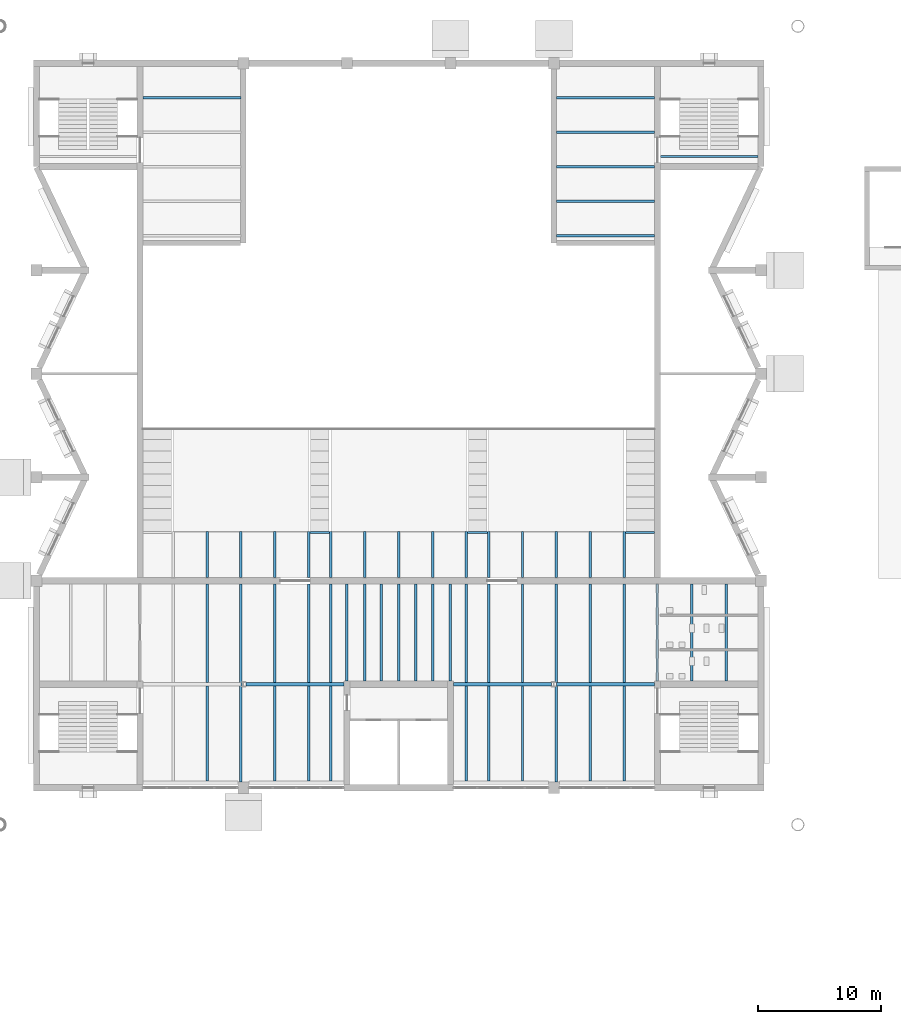
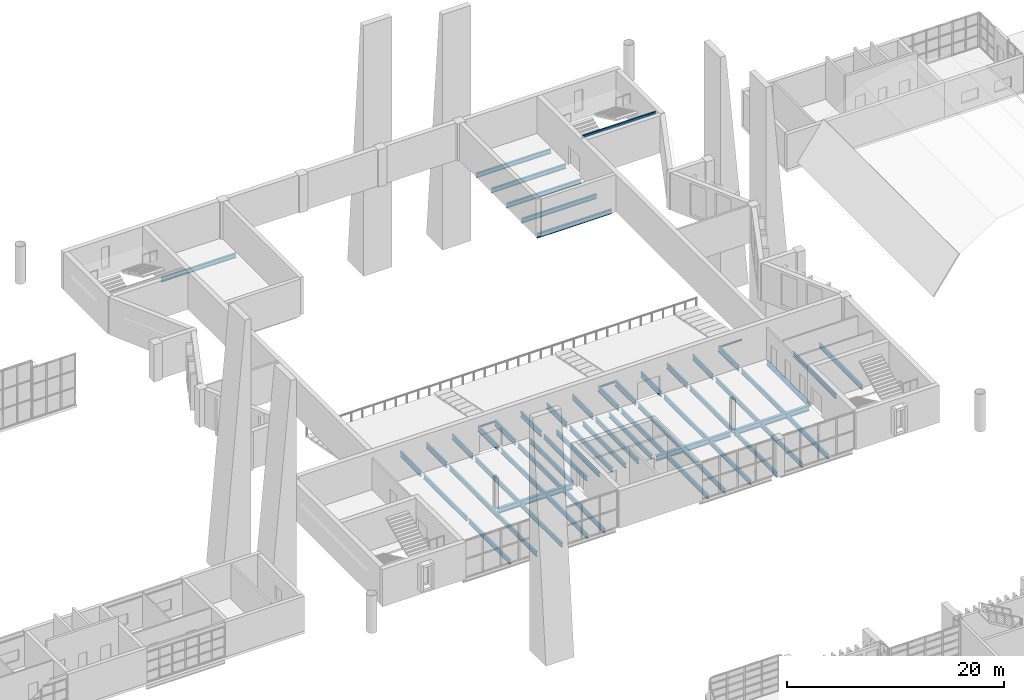
# One storey, part 38 of 100: 58 beams.
"""IFC4 building model written with IfcOpenShell, lengths in metres."""

from ifc_helpers import new_model, si_unit, direction, frame, origin, origin_2d, place, context, subcontext, project, spatial, i_section, extrude, material, material_profile, profile_set, type_object, element, save


model = new_model("IFC4")

# Units and contexts
model_context = context("Model", 3, precision=1e-05, world=origin(), true_north=direction((0.0, 1.0)))
body_context = subcontext(model_context, "Body", "Model", "MODEL_VIEW")
ifc_project = project(units=[si_unit("LENGTHUNIT", "METRE"), si_unit("AREAUNIT", "SQUARE_METRE"), si_unit("VOLUMEUNIT", "CUBIC_METRE"), si_unit("PLANEANGLEUNIT", "RADIAN"), si_unit("MASSUNIT", "GRAM", prefix="KILO")], contexts=[model_context])

# Site, building, storey
site_placement = place(None, origin())
site = spatial("IfcSite", under=ifc_project, at=site_placement, CompositionType="ELEMENT")
building_placement = place(site_placement, origin())
building = spatial("IfcBuilding", under=site, at=building_placement, Name="Cresset Court Congress Hotel", CompositionType="ELEMENT")
storey_placement = place(building_placement, frame((0.0, 0.0, 10.199951171875)))
storey = spatial("IfcBuildingStorey", under=building, at=storey_placement, Name="L02", CompositionType="ELEMENT", Elevation=10.199951171875)

# Beams
ifc_material_1 = material(Name="Structural steel Q355B", Category="steel")
ifc_material_profile_1 = material_profile(ifc_material_1, i_section(OverallWidth=0.300048828125, OverallDepth=0.587890625, WebThickness=0.011962890625, FlangeThickness=0.02001953125, FilletRadius=0.028076171875, at=origin_2d()), Name="HM588x300x12x20")
ifc_profile_set_1 = profile_set([ifc_material_profile_1], Name="Structural steel Q355B")
beam_type_1 = type_object("IfcBeamType", Name="Steel HM588x300x12x20 girder", PredefinedType="BEAM", material=ifc_profile_set_1)
beam_1_placement = place(storey_placement, frame((75.800048828125, 67.199951171875, -0.44384765625), z_axis=(1.0, 0.0, 0.0), x_axis=(0.0, 1.0, 0.0)))
element("IfcBeam", 1, at=beam_1_placement, inside=storey, type_object=beam_type_1, Name="Girder CG-F022", PredefinedType="BEAM", context=body_context, shape_type="SweptSolid", body=[
    extrude(i_section(OverallWidth=0.300048828125, OverallDepth=0.587890625, WebThickness=0.011962890625, FlangeThickness=0.02001953125, FilletRadius=0.028076171875, at=origin_2d()), origin(), (0.0, 0.0, 1.0), 7.949951171875),
])
beam_2_placement = place(storey_placement, frame((92.64990234375, 67.199951171875, -0.44384765625), z_axis=(1.0, 0.0, 0.0), x_axis=(0.0, 1.0, 0.0)))
element("IfcBeam", 2, at=beam_2_placement, inside=storey, type_object=beam_type_1, Name="Girder CG-F023", PredefinedType="BEAM", context=body_context, shape_type="SweptSolid", body=[
    extrude(i_section(OverallWidth=0.300048828125, OverallDepth=0.587890625, WebThickness=0.011962890625, FlangeThickness=0.02001953125, FilletRadius=0.028076171875, at=origin_2d()), origin(), (0.0, 0.0, 1.0), 7.9501953125),
])
beam_3_placement = place(storey_placement, frame((101.0, 67.199951171875, -0.44384765625), z_axis=(1.0, 0.0, 0.0), x_axis=(0.0, 1.0, 0.0)))
element("IfcBeam", 3, at=beam_3_placement, inside=storey, type_object=beam_type_1, Name="Girder CG-F024", PredefinedType="BEAM", context=body_context, shape_type="SweptSolid", body=[
    extrude(i_section(OverallWidth=0.300048828125, OverallDepth=0.587890625, WebThickness=0.011962890625, FlangeThickness=0.02001953125, FilletRadius=0.028076171875, at=origin_2d()), origin(), (0.0, 0.0, 1.0), 7.949951171875),
])
ifc_material_2 = material(Name="Structural steel Q355B", Category="steel")
ifc_material_profile_2 = material_profile(ifc_material_2, i_section(OverallWidth=0.14990234375, OverallDepth=0.300048828125, WebThickness=0.006591796875, FlangeThickness=0.009033203125, FilletRadius=0.012939453125, at=origin_2d()), Name="HN300x150x6.5x9")
ifc_profile_set_2 = profile_set([ifc_material_profile_2], Name="Structural steel Q355B")
beam_type_2 = type_object("IfcBeamType", Name="Steel HN300x150x6.5x9 strip beam", PredefinedType="BEAM", material=ifc_profile_set_2)
beam_4_placement = place(storey_placement, frame((109.449951171875, 110.02490234375, 3.85009765625), z_axis=(1.0, 0.0, 0.0), x_axis=(0.0, 1.0, 0.0)))
element("IfcBeam", 4, at=beam_4_placement, inside=storey, type_object=beam_type_2, Name="Beam CC-C4L03", PredefinedType="BEAM", context=body_context, shape_type="SweptSolid", body=[
    extrude(i_section(OverallWidth=0.14990234375, OverallDepth=0.300048828125, WebThickness=0.006591796875, FlangeThickness=0.009033203125, FilletRadius=0.012939453125, at=origin_2d()), origin(), (0.0, 0.0, 1.0), 7.900146484375),
])
ifc_material_3 = material(Name="Structural steel Q355B", Category="steel")
ifc_material_profile_3 = material_profile(ifc_material_3, i_section(OverallWidth=0.199951171875, OverallDepth=0.5, WebThickness=0.010009765625, FlangeThickness=0.01611328125, FilletRadius=0.012939453125, at=origin_2d()), Name="HN500x200x10x16")
ifc_profile_set_3 = profile_set([ifc_material_profile_3], Name="Structural steel Q355B")
beam_type_3 = type_object("IfcBeamType", Name="Steel HN500x200x10x16 beam", PredefinedType="BEAM", material=ifc_profile_set_3)
beam_5_placement = place(storey_placement, frame((72.64990234375, 59.35009765625, -0.39990234375), z_axis=(0.0, 1.0, 0.0), x_axis=(-1.0, 0.0, 0.0)))
element("IfcBeam", 5, at=beam_5_placement, inside=storey, type_object=beam_type_3, Name="Beam CB-F026", PredefinedType="BEAM", context=body_context, shape_type="SweptSolid", body=[
    extrude(i_section(OverallWidth=0.199951171875, OverallDepth=0.5, WebThickness=0.010009765625, FlangeThickness=0.01611328125, FilletRadius=0.012939453125, at=origin_2d()), origin(), (0.0, 0.0, 1.0), 7.699951171875),
])
beam_6_placement = place(storey_placement, frame((72.64990234375, 67.35009765625, -0.39990234375), z_axis=(0.0, 1.0, 0.0), x_axis=(-1.0, 0.0, 0.0)))
element("IfcBeam", 6, at=beam_6_placement, inside=storey, type_object=beam_type_3, Name="Beam CB-F027", PredefinedType="BEAM", context=body_context, shape_type="SweptSolid", body=[
    extrude(i_section(OverallWidth=0.199951171875, OverallDepth=0.5, WebThickness=0.010009765625, FlangeThickness=0.01611328125, FilletRadius=0.012939453125, at=origin_2d()), origin(), (0.0, 0.0, 1.0), 8.0),
])
beam_7_placement = place(storey_placement, frame((75.39990234375, 59.25, -0.39990234375), z_axis=(0.0, 1.0, 0.0), x_axis=(-1.0, 0.0, 0.0)))
element("IfcBeam", 7, at=beam_7_placement, inside=storey, type_object=beam_type_3, Name="Beam CB-F028", PredefinedType="BEAM", context=body_context, shape_type="SweptSolid", body=[
    extrude(i_section(OverallWidth=0.199951171875, OverallDepth=0.5, WebThickness=0.010009765625, FlangeThickness=0.01611328125, FilletRadius=0.012939453125, at=origin_2d()), origin(), (0.0, 0.0, 1.0), 16.10009765625),
])
beam_8_placement = place(storey_placement, frame((78.14990234375, 59.35009765625, -0.39990234375), z_axis=(0.0, 1.0, 0.0), x_axis=(-1.0, 0.0, 0.0)))
element("IfcBeam", 8, at=beam_8_placement, inside=storey, type_object=beam_type_3, Name="Beam CB-F029", PredefinedType="BEAM", context=body_context, shape_type="SweptSolid", body=[
    extrude(i_section(OverallWidth=0.199951171875, OverallDepth=0.5, WebThickness=0.010009765625, FlangeThickness=0.01611328125, FilletRadius=0.012939453125, at=origin_2d()), origin(), (0.0, 0.0, 1.0), 7.699951171875),
])
beam_9_placement = place(storey_placement, frame((78.14990234375, 67.35009765625, -0.39990234375), z_axis=(0.0, 1.0, 0.0), x_axis=(-1.0, 0.0, 0.0)))
element("IfcBeam", 9, at=beam_9_placement, inside=storey, type_object=beam_type_3, Name="Beam CB-F0210", PredefinedType="BEAM", context=body_context, shape_type="SweptSolid", body=[
    extrude(i_section(OverallWidth=0.199951171875, OverallDepth=0.5, WebThickness=0.010009765625, FlangeThickness=0.01611328125, FilletRadius=0.012939453125, at=origin_2d()), origin(), (0.0, 0.0, 1.0), 8.0),
])
beam_10_placement = place(storey_placement, frame((80.89990234375, 59.35009765625, -0.39990234375), z_axis=(0.0, 1.0, 0.0), x_axis=(-1.0, 0.0, 0.0)))
element("IfcBeam", 10, at=beam_10_placement, inside=storey, type_object=beam_type_3, Name="Beam CB-F0211", PredefinedType="BEAM", context=body_context, shape_type="SweptSolid", body=[
    extrude(i_section(OverallWidth=0.199951171875, OverallDepth=0.5, WebThickness=0.010009765625, FlangeThickness=0.01611328125, FilletRadius=0.012939453125, at=origin_2d()), origin(), (0.0, 0.0, 1.0), 7.699951171875),
])
beam_11_placement = place(storey_placement, frame((80.89990234375, 67.35009765625, -0.39990234375), z_axis=(0.0, 1.0, 0.0), x_axis=(-1.0, 0.0, 0.0)))
element("IfcBeam", 11, at=beam_11_placement, inside=storey, type_object=beam_type_3, Name="Beam CB-F0212", PredefinedType="BEAM", context=body_context, shape_type="SweptSolid", body=[
    extrude(i_section(OverallWidth=0.199951171875, OverallDepth=0.5, WebThickness=0.010009765625, FlangeThickness=0.01611328125, FilletRadius=0.012939453125, at=origin_2d()), origin(), (0.0, 0.0, 1.0), 8.0),
])
beam_12_placement = place(storey_placement, frame((82.699951171875, 59.35009765625, -0.39990234375), z_axis=(0.0, 1.0, 0.0), x_axis=(-1.0, 0.0, 0.0)))
element("IfcBeam", 12, at=beam_12_placement, inside=storey, type_object=beam_type_3, Name="Beam CB-F0213", PredefinedType="BEAM", context=body_context, shape_type="SweptSolid", body=[
    extrude(i_section(OverallWidth=0.199951171875, OverallDepth=0.5, WebThickness=0.010009765625, FlangeThickness=0.01611328125, FilletRadius=0.012939453125, at=origin_2d()), origin(), (0.0, 0.0, 1.0), 7.699951171875),
])
beam_13_placement = place(storey_placement, frame((82.699951171875, 67.35009765625, -0.39990234375), z_axis=(0.0, 1.0, 0.0), x_axis=(-1.0, 0.0, 0.0)))
element("IfcBeam", 13, at=beam_13_placement, inside=storey, type_object=beam_type_3, Name="Beam CB-F0214", PredefinedType="BEAM", context=body_context, shape_type="SweptSolid", body=[
    extrude(i_section(OverallWidth=0.199951171875, OverallDepth=0.5, WebThickness=0.010009765625, FlangeThickness=0.01611328125, FilletRadius=0.012939453125, at=origin_2d()), origin(), (0.0, 0.0, 1.0), 8.0),
])
for number, where, z_axis, x_axis, name in (
    (14, (84.0, 67.449951171875, -0.39990234375), (0.0, 1.0, 0.0), (-1.0, 0.0, 0.0), "Beam CB-F0215"),
    (15, (85.449951171875, 67.449951171875, -0.39990234375), (0.0, 1.0, 0.0), (-1.0, 0.0, 0.0), "Beam CB-F0216"),
    (16, (86.800048828125, 67.449951171875, -0.39990234375), (0.0, 1.0, 0.0), (-1.0, 0.0, 0.0), "Beam CB-F0217"),
    (17, (88.199951171875, 67.449951171875, -0.39990234375), (0.0, 1.0, 0.0), (-1.0, 0.0, 0.0), "Beam CB-F0218"),
    (18, (89.60009765625, 67.449951171875, -0.39990234375), (0.0, 1.0, 0.0), (-1.0, 0.0, 0.0), "Beam CB-F0219"),
    (19, (90.949951171875, 67.449951171875, -0.39990234375), (0.0, 1.0, 0.0), (-1.0, 0.0, 0.0), "Beam CB-F0220"),
    (20, (92.39990234375, 67.449951171875, -0.39990234375), (0.0, 1.0, 0.0), (-1.0, 0.0, 0.0), "Beam CB-F0221"),
):
    element("IfcBeam", number, at=place(storey_placement, frame(where, z_axis=z_axis, x_axis=x_axis)), inside=storey, type_object=beam_type_3, Name=name, PredefinedType="BEAM", context=body_context, shape_type="SweptSolid", body=[
        extrude(i_section(OverallWidth=0.199951171875, OverallDepth=0.5, WebThickness=0.010009765625, FlangeThickness=0.01611328125, FilletRadius=0.012939453125, at=origin_2d()), origin(), (0.0, 0.0, 1.0), 7.900146484375),
    ])
beam_14_placement = place(storey_placement, frame((93.699951171875, 59.35009765625, -0.39990234375), z_axis=(0.0, 1.0, 0.0), x_axis=(-1.0, 0.0, 0.0)))
element("IfcBeam", 21, at=beam_14_placement, inside=storey, type_object=beam_type_3, Name="Beam CB-F0222", PredefinedType="BEAM", context=body_context, shape_type="SweptSolid", body=[
    extrude(i_section(OverallWidth=0.199951171875, OverallDepth=0.5, WebThickness=0.010009765625, FlangeThickness=0.01611328125, FilletRadius=0.012939453125, at=origin_2d()), origin(), (0.0, 0.0, 1.0), 7.699951171875),
])
beam_15_placement = place(storey_placement, frame((93.699951171875, 67.35009765625, -0.39990234375), z_axis=(0.0, 1.0, 0.0), x_axis=(-1.0, 0.0, 0.0)))
element("IfcBeam", 22, at=beam_15_placement, inside=storey, type_object=beam_type_3, Name="Beam CB-F0223", PredefinedType="BEAM", context=body_context, shape_type="SweptSolid", body=[
    extrude(i_section(OverallWidth=0.199951171875, OverallDepth=0.5, WebThickness=0.010009765625, FlangeThickness=0.01611328125, FilletRadius=0.012939453125, at=origin_2d()), origin(), (0.0, 0.0, 1.0), 8.0),
])
beam_16_placement = place(storey_placement, frame((95.5, 59.35009765625, -0.39990234375), z_axis=(0.0, 1.0, 0.0), x_axis=(-1.0, 0.0, 0.0)))
element("IfcBeam", 23, at=beam_16_placement, inside=storey, type_object=beam_type_3, Name="Beam CB-F0224", PredefinedType="BEAM", context=body_context, shape_type="SweptSolid", body=[
    extrude(i_section(OverallWidth=0.199951171875, OverallDepth=0.5, WebThickness=0.010009765625, FlangeThickness=0.01611328125, FilletRadius=0.012939453125, at=origin_2d()), origin(), (0.0, 0.0, 1.0), 7.699951171875),
])
beam_17_placement = place(storey_placement, frame((95.5, 67.35009765625, -0.39990234375), z_axis=(0.0, 1.0, 0.0), x_axis=(-1.0, 0.0, 0.0)))
element("IfcBeam", 24, at=beam_17_placement, inside=storey, type_object=beam_type_3, Name="Beam CB-F0225", PredefinedType="BEAM", context=body_context, shape_type="SweptSolid", body=[
    extrude(i_section(OverallWidth=0.199951171875, OverallDepth=0.5, WebThickness=0.010009765625, FlangeThickness=0.01611328125, FilletRadius=0.012939453125, at=origin_2d()), origin(), (0.0, 0.0, 1.0), 8.0),
])
beam_18_placement = place(storey_placement, frame((98.25, 59.35009765625, -0.39990234375), z_axis=(0.0, 1.0, 0.0), x_axis=(-1.0, 0.0, 0.0)))
element("IfcBeam", 25, at=beam_18_placement, inside=storey, type_object=beam_type_3, Name="Beam CB-F0226", PredefinedType="BEAM", context=body_context, shape_type="SweptSolid", body=[
    extrude(i_section(OverallWidth=0.199951171875, OverallDepth=0.5, WebThickness=0.010009765625, FlangeThickness=0.01611328125, FilletRadius=0.012939453125, at=origin_2d()), origin(), (0.0, 0.0, 1.0), 7.699951171875),
])
beam_19_placement = place(storey_placement, frame((98.25, 67.35009765625, -0.39990234375), z_axis=(0.0, 1.0, 0.0), x_axis=(-1.0, 0.0, 0.0)))
element("IfcBeam", 26, at=beam_19_placement, inside=storey, type_object=beam_type_3, Name="Beam CB-F0227", PredefinedType="BEAM", context=body_context, shape_type="SweptSolid", body=[
    extrude(i_section(OverallWidth=0.199951171875, OverallDepth=0.5, WebThickness=0.010009765625, FlangeThickness=0.01611328125, FilletRadius=0.012939453125, at=origin_2d()), origin(), (0.0, 0.0, 1.0), 8.0),
])
beam_20_placement = place(storey_placement, frame((101.0, 59.25, -0.39990234375), z_axis=(0.0, 1.0, 0.0), x_axis=(-1.0, 0.0, 0.0)))
element("IfcBeam", 27, at=beam_20_placement, inside=storey, type_object=beam_type_3, Name="Beam CB-F0228", PredefinedType="BEAM", context=body_context, shape_type="SweptSolid", body=[
    extrude(i_section(OverallWidth=0.199951171875, OverallDepth=0.5, WebThickness=0.010009765625, FlangeThickness=0.01611328125, FilletRadius=0.012939453125, at=origin_2d()), origin(), (0.0, 0.0, 1.0), 7.800048828125),
])
beam_21_placement = place(storey_placement, frame((101.0, 67.35009765625, -0.39990234375), z_axis=(0.0, 1.0, 0.0), x_axis=(-1.0, 0.0, 0.0)))
element("IfcBeam", 28, at=beam_21_placement, inside=storey, type_object=beam_type_3, Name="Beam CB-F0229", PredefinedType="BEAM", context=body_context, shape_type="SweptSolid", body=[
    extrude(i_section(OverallWidth=0.199951171875, OverallDepth=0.5, WebThickness=0.010009765625, FlangeThickness=0.01611328125, FilletRadius=0.012939453125, at=origin_2d()), origin(), (0.0, 0.0, 1.0), 8.0),
])
beam_22_placement = place(storey_placement, frame((103.75, 59.35009765625, -0.39990234375), z_axis=(0.0, 1.0, 0.0), x_axis=(-1.0, 0.0, 0.0)))
element("IfcBeam", 29, at=beam_22_placement, inside=storey, type_object=beam_type_3, Name="Beam CB-F0230", PredefinedType="BEAM", context=body_context, shape_type="SweptSolid", body=[
    extrude(i_section(OverallWidth=0.199951171875, OverallDepth=0.5, WebThickness=0.010009765625, FlangeThickness=0.01611328125, FilletRadius=0.012939453125, at=origin_2d()), origin(), (0.0, 0.0, 1.0), 7.699951171875),
])
beam_23_placement = place(storey_placement, frame((103.75, 67.35009765625, -0.39990234375), z_axis=(0.0, 1.0, 0.0), x_axis=(-1.0, 0.0, 0.0)))
element("IfcBeam", 30, at=beam_23_placement, inside=storey, type_object=beam_type_3, Name="Beam CB-F0231", PredefinedType="BEAM", context=body_context, shape_type="SweptSolid", body=[
    extrude(i_section(OverallWidth=0.199951171875, OverallDepth=0.5, WebThickness=0.010009765625, FlangeThickness=0.01611328125, FilletRadius=0.012939453125, at=origin_2d()), origin(), (0.0, 0.0, 1.0), 8.0),
])
beam_24_placement = place(storey_placement, frame((106.5, 59.35009765625, -0.39990234375), z_axis=(0.0, 1.0, 0.0), x_axis=(-1.0, 0.0, 0.0)))
element("IfcBeam", 31, at=beam_24_placement, inside=storey, type_object=beam_type_3, Name="Beam CB-F0232", PredefinedType="BEAM", context=body_context, shape_type="SweptSolid", body=[
    extrude(i_section(OverallWidth=0.199951171875, OverallDepth=0.5, WebThickness=0.010009765625, FlangeThickness=0.01611328125, FilletRadius=0.012939453125, at=origin_2d()), origin(), (0.0, 0.0, 1.0), 7.699951171875),
])
beam_25_placement = place(storey_placement, frame((106.5, 67.35009765625, -0.39990234375), z_axis=(0.0, 1.0, 0.0), x_axis=(-1.0, 0.0, 0.0)))
element("IfcBeam", 32, at=beam_25_placement, inside=storey, type_object=beam_type_3, Name="Beam CB-F0233", PredefinedType="BEAM", context=body_context, shape_type="SweptSolid", body=[
    extrude(i_section(OverallWidth=0.199951171875, OverallDepth=0.5, WebThickness=0.010009765625, FlangeThickness=0.01611328125, FilletRadius=0.012939453125, at=origin_2d()), origin(), (0.0, 0.0, 1.0), 8.0),
])
for number, where, z_axis, x_axis, name in (
    (33, (109.199951171875, 67.449951171875, -0.39990234375), (0.0, 1.0, 0.0), (-1.0, 0.0, 0.0), "Beam CB-F0234"),
    (34, (112.0, 67.449951171875, -0.39990234375), (0.0, 1.0, 0.0), (-1.0, 0.0, 0.0), "Beam CB-F0235"),
    (35, (114.800048828125, 67.449951171875, -0.39990234375), (0.0, 1.0, 0.0), (-1.0, 0.0, 0.0), "Beam CB-F0236"),
):
    element("IfcBeam", number, at=place(storey_placement, frame(where, z_axis=z_axis, x_axis=x_axis)), inside=storey, type_object=beam_type_3, Name=name, PredefinedType="BEAM", context=body_context, shape_type="SweptSolid", body=[
        extrude(i_section(OverallWidth=0.199951171875, OverallDepth=0.5, WebThickness=0.010009765625, FlangeThickness=0.01611328125, FilletRadius=0.012939453125, at=origin_2d()), origin(), (0.0, 0.0, 1.0), 7.900146484375),
    ])
for number, where, z_axis, x_axis, name in (
    (36, (67.449951171875, 114.800048828125, -0.39990234375), (1.0, 0.0, 0.0), (0.0, 1.0, 0.0), "Beam CB-W1025"),
    (37, (101.0, 103.60009765625, -0.39990234375), (1.0, 0.0, 0.0), (0.0, 1.0, 0.0), "Beam CB-W2021"),
    (38, (101.0, 106.39990234375, -0.39990234375), (1.0, 0.0, 0.0), (0.0, 1.0, 0.0), "Beam CB-W2022"),
    (39, (101.0, 109.199951171875, -0.39990234375), (1.0, 0.0, 0.0), (0.0, 1.0, 0.0), "Beam CB-W2023"),
    (40, (101.0, 112.0, -0.39990234375), (1.0, 0.0, 0.0), (0.0, 1.0, 0.0), "Beam CB-W2024"),
    (41, (101.0, 114.800048828125, -0.39990234375), (1.0, 0.0, 0.0), (0.0, 1.0, 0.0), "Beam CB-W2025"),
):
    element("IfcBeam", number, at=place(storey_placement, frame(where, z_axis=z_axis, x_axis=x_axis)), inside=storey, type_object=beam_type_3, Name=name, PredefinedType="BEAM", context=body_context, shape_type="SweptSolid", body=[
        extrude(i_section(OverallWidth=0.199951171875, OverallDepth=0.5, WebThickness=0.010009765625, FlangeThickness=0.01611328125, FilletRadius=0.012939453125, at=origin_2d()), origin(), (0.0, 0.0, 1.0), 7.949951171875),
    ])
ifc_material_4 = material(Name="Structural steel Q355B", Category="steel")
ifc_material_profile_4 = material_profile(ifc_material_4, i_section(OverallWidth=0.199951171875, OverallDepth=0.60009765625, WebThickness=0.010986328125, FlangeThickness=0.01708984375, FilletRadius=0.012939453125, at=origin_2d()), Name="HN600x200x11x17")
ifc_profile_set_4 = profile_set([ifc_material_profile_4], Name="Structural steel Q355B")
beam_type_4 = type_object("IfcBeamType", Name="Steel HN600x200x11x17 raker beam", PredefinedType="BEAM", material=ifc_profile_set_4)
for number, where, z_axis, x_axis, name in (
    (42, (72.64990234375, 75.85009765625, -0.449951171875), (0.0, 1.0, 0.0), (-1.0, 0.0, 0.0), "Raker beam CK-2a"),
    (43, (75.39990234375, 75.85009765625, -0.449951171875), (0.0, 1.0, 0.0), (-1.0, 0.0, 0.0), "Raker beam CK-3a"),
    (44, (78.14990234375, 75.85009765625, -0.449951171875), (0.0, 1.0, 0.0), (-1.0, 0.0, 0.0), "Raker beam CK-4a"),
    (45, (80.89990234375, 75.85009765625, -0.449951171875), (0.0, 1.0, 0.0), (-1.0, 0.0, 0.0), "Raker beam CK-5a"),
    (46, (82.699951171875, 75.85009765625, -0.449951171875), (0.0, 1.0, 0.0), (-1.0, 0.0, 0.0), "Raker beam CK-6a"),
    (47, (85.449951171875, 75.85009765625, -0.449951171875), (0.0, 1.0, 0.0), (-1.0, 0.0, 0.0), "Raker beam CK-7a"),
    (48, (88.199951171875, 75.85009765625, -0.449951171875), (0.0, 1.0, 0.0), (-1.0, 0.0, 0.0), "Raker beam CK-8a"),
    (49, (90.949951171875, 75.85009765625, -0.449951171875), (0.0, 1.0, 0.0), (-1.0, 0.0, 0.0), "Raker beam CK-9a"),
    (50, (93.699951171875, 75.85009765625, -0.449951171875), (0.0, 1.0, 0.0), (-1.0, 0.0, 0.0), "Raker beam CK-10a"),
    (51, (95.5, 75.85009765625, -0.449951171875), (0.0, 1.0, 0.0), (-1.0, 0.0, 0.0), "Raker beam CK-11a"),
    (52, (98.25, 75.85009765625, -0.449951171875), (0.0, 1.0, 0.0), (-1.0, 0.0, 0.0), "Raker beam CK-12a"),
    (53, (101.0, 75.85009765625, -0.449951171875), (0.0, 1.0, 0.0), (-1.0, 0.0, 0.0), "Raker beam CK-13a"),
    (54, (103.75, 75.85009765625, -0.449951171875), (0.0, 1.0, 0.0), (-1.0, 0.0, 0.0), "Raker beam CK-14a"),
    (55, (106.5, 75.85009765625, -0.449951171875), (0.0, 1.0, 0.0), (-1.0, 0.0, 0.0), "Raker beam CK-15a"),
):
    element("IfcBeam", number, at=place(storey_placement, frame(where, z_axis=z_axis, x_axis=x_axis)), inside=storey, type_object=beam_type_4, Name=name, PredefinedType="BEAM", context=body_context, shape_type="SweptSolid", body=[
        extrude(i_section(OverallWidth=0.199951171875, OverallDepth=0.60009765625, WebThickness=0.010986328125, FlangeThickness=0.01708984375, FilletRadius=0.012939453125, at=origin_2d()), origin(), (0.0, 0.0, 1.0), 3.75),
    ])
ifc_material_5 = material(Name="Structural steel Q355B", Category="steel")
ifc_material_profile_5 = material_profile(ifc_material_5, i_section(OverallWidth=0.14990234375, OverallDepth=0.14990234375, WebThickness=0.007080078125, FlangeThickness=0.010009765625, FilletRadius=0.008056640625, at=origin_2d()), Name="HW150x150x7x10")
ifc_profile_set_5 = profile_set([ifc_material_profile_5], Name="Structural steel Q355B")
beam_type_5 = type_object("IfcBeamType", Name="Steel HW150x150x7x10 stair bearer", PredefinedType="BEAM", material=ifc_profile_set_5)
beam_26_placement = place(storey_placement, frame((81.0, 79.52490234375, -0.27490234375), z_axis=(1.0, 0.0, 0.0), x_axis=(0.0, 1.0, 0.0)))
element("IfcBeam", 56, at=beam_26_placement, inside=storey, type_object=beam_type_5, Name="Stair bearer CB-2R", PredefinedType="BEAM", context=body_context, shape_type="SweptSolid", body=[
    extrude(i_section(OverallWidth=0.14990234375, OverallDepth=0.14990234375, WebThickness=0.007080078125, FlangeThickness=0.010009765625, FilletRadius=0.008056640625, at=origin_2d()), origin(), (0.0, 0.0, 1.0), 1.60009765625),
])
beam_27_placement = place(storey_placement, frame((93.800048828125, 79.52490234375, -0.27490234375), z_axis=(1.0, 0.0, 0.0), x_axis=(0.0, 1.0, 0.0)))
element("IfcBeam", 57, at=beam_27_placement, inside=storey, type_object=beam_type_5, Name="Stair bearer CB-3R", PredefinedType="BEAM", context=body_context, shape_type="SweptSolid", body=[
    extrude(i_section(OverallWidth=0.14990234375, OverallDepth=0.14990234375, WebThickness=0.007080078125, FlangeThickness=0.010009765625, FilletRadius=0.008056640625, at=origin_2d()), origin(), (0.0, 0.0, 1.0), 1.599853515625),
])
beam_28_placement = place(storey_placement, frame((106.60009765625, 79.52490234375, -0.27490234375), z_axis=(1.0, 0.0, 0.0), x_axis=(0.0, 1.0, 0.0)))
element("IfcBeam", 58, at=beam_28_placement, inside=storey, type_object=beam_type_5, Name="Stair bearer CB-4R", PredefinedType="BEAM", context=body_context, shape_type="SweptSolid", body=[
    extrude(i_section(OverallWidth=0.14990234375, OverallDepth=0.14990234375, WebThickness=0.007080078125, FlangeThickness=0.010009765625, FilletRadius=0.008056640625, at=origin_2d()), origin(), (0.0, 0.0, 1.0), 2.349853515625),
])

save(model, "model.ifc")
